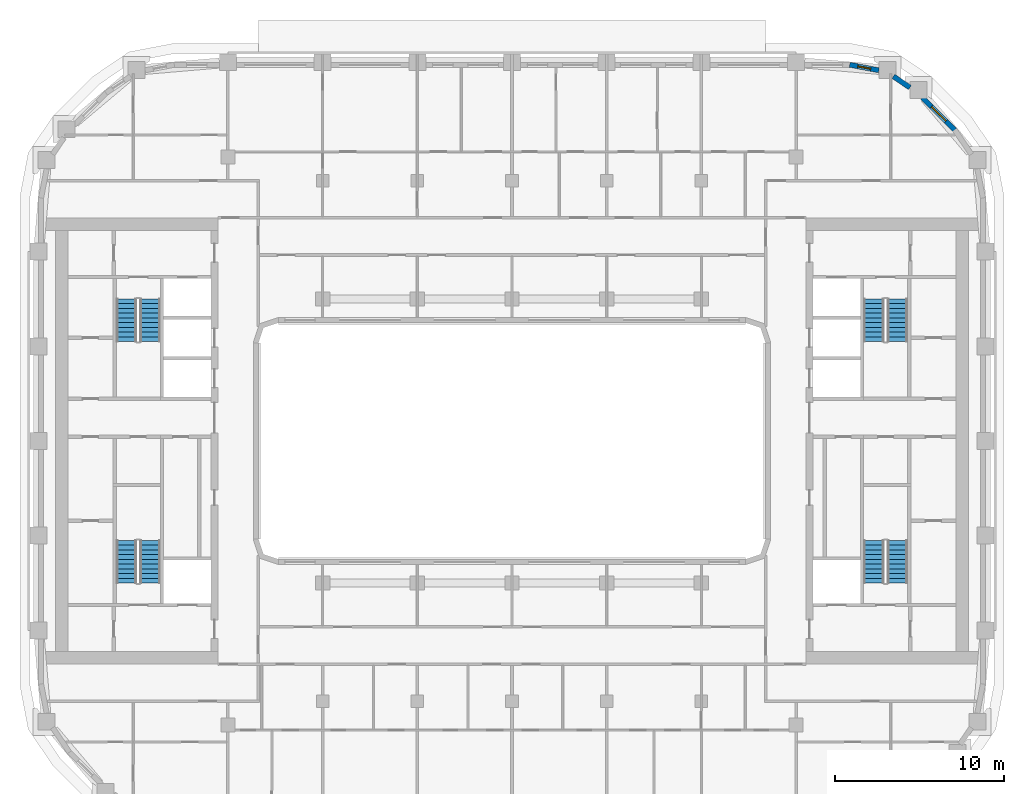
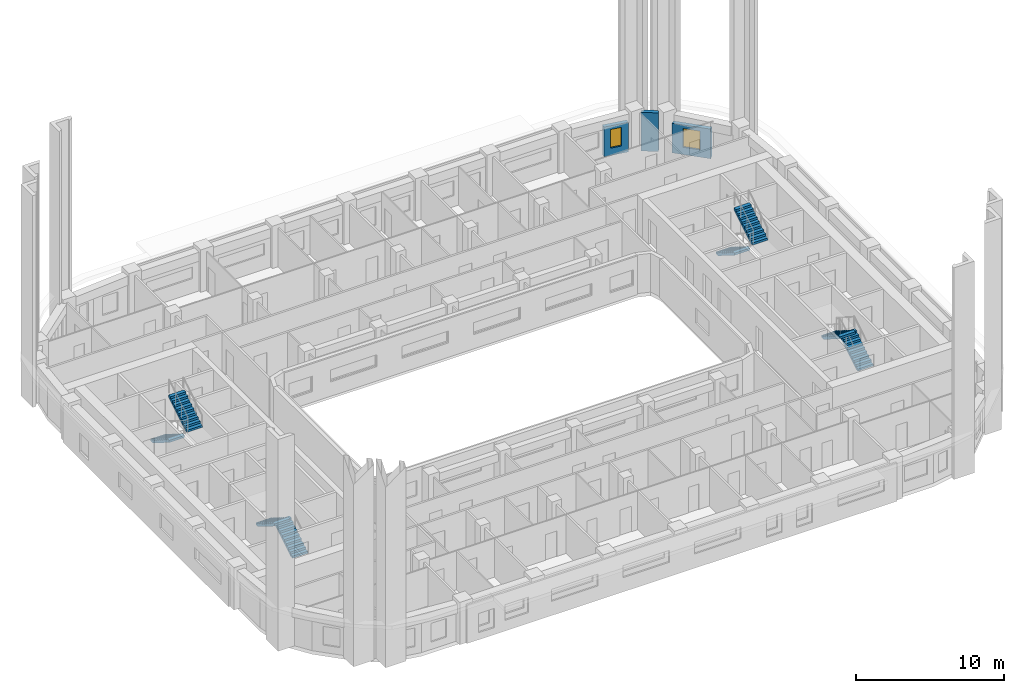
# One storey, part 10 of 22: 8 stair flights, 3 walls, 2 windows, 2 openings, 4 elements without a shape of their own.
"""IFC4 building model written with IfcOpenShell, lengths in metres."""

from ifc_helpers import new_model, si_unit, direction, frame, frame_2d, origin, place, context, subcontext, project, spatial, polyline, rectangle, outline, extrude, material, layer, layer_set, type_object, element, fill, aggregate, save


model = new_model("IFC4")

# Units and contexts
model_context = context("Model", 3, precision=1e-05, world=origin(), true_north=direction((0.0, 1.0)))
body_context = subcontext(model_context, "Body", "Model", "MODEL_VIEW")
ifc_project = project(units=[si_unit("LENGTHUNIT", "METRE"), si_unit("AREAUNIT", "SQUARE_METRE"), si_unit("VOLUMEUNIT", "CUBIC_METRE"), si_unit("PLANEANGLEUNIT", "RADIAN"), si_unit("MASSUNIT", "GRAM", prefix="KILO")], contexts=[model_context])

# Site, building, storey
site_placement = place(None, origin())
site = spatial("IfcSite", under=ifc_project, at=site_placement, CompositionType="ELEMENT")
building_placement = place(site_placement, origin())
building = spatial("IfcBuilding", under=site, at=building_placement, Name="Kiln Ring Residences", CompositionType="ELEMENT")
storey_placement = place(building_placement, frame((0.0, 0.0, 160.60009765625)))
storey = spatial("IfcBuildingStorey", under=building, at=storey_placement, Name="L41", CompositionType="ELEMENT", Elevation=160.60009765625)

# Wall, opening, window
ifc_material_1 = material(Name="Brick masonry, dark clay brick", Category="masonry")
ifc_layer = layer(ifc_material_1, 0.300048828125)
ifc_layer_set = layer_set([ifc_layer], Name="EW-300 BRICK WALL")
wall_type = type_object("IfcWallType", Name="EW-300 BRICK WALL", PredefinedType="SOLIDWALL", material=ifc_layer_set)
wall_1_placement = place(storey_placement, frame((26.19677734375, 18.390869140625, 0.0), z_axis=(0.0, 0.0, 1.0), x_axis=(-0.707061571201, 0.707151988282, 0.0)))
wall_1 = element("IfcWall", 1, at=wall_1_placement, inside=storey, type_object=wall_type, Name="Facade wall L41 25", PredefinedType="SOLIDWALL", context=body_context, shape_type="SweptSolid", body=[
    extrude(rectangle(XDim=2.7001953125, YDim=0.300048828125, at=frame_2d((1.35009765625, 0.0))), origin(), (0.0, 0.0, 1.0), 2.449951171875),
])
opening_1_placement = place(wall_1_placement, frame((0.75, 0.0, 0.60009765625)))
opening_1 = element("IfcOpeningElement", 2, at=opening_1_placement, cuts=wall_1, Name="Opening W1", PredefinedType="OPENING", context=body_context, shape_type="SweptSolid", body=[
    extrude(rectangle(XDim=1.199951171875, YDim=1.550048828125, at=frame_2d((0.60009765625, 0.77490234375))), frame((0.0, 0.159912109375, 0.0), z_axis=(0.0, -1.0, 0.0), x_axis=(1.0, 0.0, 0.0)), (0.0, 0.0, 1.0), 0.320068359375),
])
ifc_material_2 = material(Name="Aluminium frame with double glazing", Category="aluminium")
window_type_1 = type_object("IfcWindowType", Name="WINDOW 1200 x 1550", PartitioningType="SINGLE_PANEL", PredefinedType="WINDOW", material=ifc_material_2)
window_1_placement = place(opening_1_placement, origin())
window_1 = element("IfcWindow", 3, at=window_1_placement, inside=storey, type_object=window_type_1, Name="Window L41 16", OverallHeight=1.550048828125, OverallWidth=1.199951171875, PartitioningType="SINGLE_PANEL", PredefinedType="WINDOW", context=body_context, shape_type="SweptSolid", body=[
    extrude(rectangle(XDim=1.199951171875, YDim=1.550048828125, at=frame_2d((0.60009765625, 0.77490234375))), frame((0.0, 0.030029296875, 0.0), z_axis=(0.0, -1.0, 0.0), x_axis=(1.0, 0.0, 0.0)), (0.0, 0.0, 1.0), 0.06005859375),
])
fill(opening_1, window_1)

# Wall
wall_2_placement = place(storey_placement, frame((23.533935546875, 20.904296875, 0.0), z_axis=(0.0, 0.0, 1.0), x_axis=(-0.827103906596, 0.56204904385, 0.0)))
element("IfcWall", 4, at=wall_2_placement, inside=storey, type_object=wall_type, Name="Facade wall L41 26", PredefinedType="SOLIDWALL", context=body_context, shape_type="SweptSolid", body=[
    extrude(rectangle(XDim=1.17724609375, YDim=0.300048828125, at=frame_2d((0.588623046875, 0.0))), origin(), (0.0, 0.0, 1.0), 3.199951171875),
])

# Wall, opening, window
wall_3_placement = place(storey_placement, frame((21.697021484375, 21.923583984375, 0.0), z_axis=(0.0, 0.0, 1.0), x_axis=(-0.982284988433, 0.187393173565, 0.0)))
wall_3 = element("IfcWall", 5, at=wall_3_placement, inside=storey, type_object=wall_type, Name="Facade wall L41 27", PredefinedType="SOLIDWALL", context=body_context, shape_type="SweptSolid", body=[
    extrude(rectangle(XDim=1.756103515625, YDim=0.300048828125, at=frame_2d((0.8779296875, 0.0))), origin(), (0.0, 0.0, 1.0), 2.449951171875),
])
opening_2_placement = place(wall_3_placement, frame((0.47802734375, 0.0, 0.60009765625)))
opening_2 = element("IfcOpeningElement", 6, at=opening_2_placement, cuts=wall_3, Name="Opening W5", PredefinedType="OPENING", context=body_context, shape_type="SweptSolid", body=[
    extrude(rectangle(XDim=0.800048828125, YDim=1.550048828125, at=frame_2d((0.39990234375, 0.77490234375))), frame((0.0, 0.159912109375, 0.0), z_axis=(0.0, -1.0, 0.0), x_axis=(1.0, 0.0, 0.0)), (0.0, 0.0, 1.0), 0.320068359375),
])
ifc_material_3 = material(Name="Aluminium frame with double glazing", Category="aluminium")
window_type_2 = type_object("IfcWindowType", Name="WINDOW 800 x 1550", PartitioningType="SINGLE_PANEL", PredefinedType="WINDOW", material=ifc_material_3)
window_2_placement = place(opening_2_placement, origin())
window_2 = element("IfcWindow", 7, at=window_2_placement, inside=storey, type_object=window_type_2, Name="Window L41 17", OverallHeight=1.550048828125, OverallWidth=0.800048828125, PartitioningType="SINGLE_PANEL", PredefinedType="WINDOW", context=body_context, shape_type="SweptSolid", body=[
    extrude(rectangle(XDim=0.800048828125, YDim=1.550048828125, at=frame_2d((0.39990234375, 0.77490234375))), frame((0.0, 0.030029296875, 0.0), z_axis=(0.0, -1.0, 0.0), x_axis=(1.0, 0.0, 0.0)), (0.0, 0.0, 1.0), 0.06005859375),
])
fill(opening_2, window_2)

# Stair, stair flights
ifc_material_4 = material(Name="Concrete C40/50", Category="concrete")
stair_type = type_object("IfcStairType", Name="CORE-STAIR", PredefinedType="HALF_TURN_STAIR", material=ifc_material_4)
placement = place(storey_placement, origin())
stair_1 = element("IfcStair", 8, at=placement, inside=storey, type_object=stair_type, Name="L41 stair W-STN", PredefinedType="HALF_TURN_STAIR")
ifc_material_5 = material(Name="Concrete C40/50", Category="concrete")
stair_flight_type = type_object("IfcStairFlightType", Name="CORE-STAIR-FLIGHT", PredefinedType="STRAIGHT", material=ifc_material_5)
stair_flight_1_placement = place(storey_placement, frame((-22.800048828125, 8.39990234375, 0.0), z_axis=(0.0, 0.0, 1.0), x_axis=(0.0, -1.0, 0.0)))
stair_flight_1 = element("IfcStairFlight", 9, at=stair_flight_1_placement, type_object=stair_flight_type, Name="W-STN flight 1", NumberOfRisers=10, NumberOfTreads=9, PredefinedType="STRAIGHT", RiserHeight=0.175, TreadLength=0.28, context=body_context, shape_type="SweptSolid", body=[
    extrude(outline(polyline([(0.0, 0.0), (0.0, 0.175048828125), (0.280029296875, 0.175048828125), (0.280029296875, 0.35009765625), (0.56005859375, 0.35009765625), (0.56005859375, 0.52490234375), (0.840087890625, 0.52490234375), (0.840087890625, 0.699951171875), (1.1201171875, 0.699951171875), (1.1201171875, 0.875), (1.39990234375, 0.875), (1.39990234375, 1.050048828125), (1.679931640625, 1.050048828125), (1.679931640625, 1.22509765625), (1.9599609375, 1.22509765625), (1.9599609375, 1.39990234375), (2.239990234375, 1.39990234375), (2.239990234375, 1.574951171875), (2.52001953125, 1.574951171875), (2.52001953125, 1.75), (2.52001953125, 1.398193359375), (0.28271484375, 0.0), (0.0, 0.0)])), frame((0.0, 0.60009765625, 0.0), z_axis=(0.0, -1.0, 0.0), x_axis=(1.0, 0.0, 0.0)), (0.0, 0.0, 1.0), 1.199951171875),
])
stair_flight_2_placement = place(storey_placement, frame((-21.39990234375, 5.8798828125, 1.75), z_axis=(0.0, 0.0, 1.0), x_axis=(0.0, 1.0, 0.0)))
stair_flight_2 = element("IfcStairFlight", 10, at=stair_flight_2_placement, type_object=stair_flight_type, Name="W-STN flight 2", NumberOfRisers=10, NumberOfTreads=9, PredefinedType="STRAIGHT", RiserHeight=0.175, TreadLength=0.28, context=body_context, shape_type="SweptSolid", body=[
    extrude(outline(polyline([(0.0, 0.0), (0.0, 0.175048828125), (0.280029296875, 0.175048828125), (0.280029296875, 0.35009765625), (0.56005859375, 0.35009765625), (0.56005859375, 0.52490234375), (0.840087890625, 0.52490234375), (0.840087890625, 0.699951171875), (1.1201171875, 0.699951171875), (1.1201171875, 0.875), (1.39990234375, 0.875), (1.39990234375, 1.050048828125), (1.679931640625, 1.050048828125), (1.679931640625, 1.22509765625), (1.9599609375, 1.22509765625), (1.9599609375, 1.39990234375), (2.239990234375, 1.39990234375), (2.239990234375, 1.574951171875), (2.52001953125, 1.574951171875), (2.52001953125, 1.75), (2.52001953125, 1.398193359375), (0.28271484375, 0.0), (0.0, 0.0)])), frame((0.0, 0.60009765625, 0.0), z_axis=(0.0, -1.0, 0.0), x_axis=(1.0, 0.0, 0.0)), (0.0, 0.0, 1.0), 1.199951171875),
])
aggregate(stair_1, [stair_flight_1, stair_flight_2])

stair_2 = element("IfcStair", 11, at=placement, inside=storey, type_object=stair_type, Name="L41 stair W-STS", PredefinedType="HALF_TURN_STAIR")
stair_flight_3_placement = place(storey_placement, frame((-21.39990234375, -8.39990234375, 0.0), z_axis=(0.0, 0.0, 1.0), x_axis=(0.0, 1.0, 0.0)))
stair_flight_3 = element("IfcStairFlight", 12, at=stair_flight_3_placement, type_object=stair_flight_type, Name="W-STS flight 1", NumberOfRisers=10, NumberOfTreads=9, PredefinedType="STRAIGHT", RiserHeight=0.175, TreadLength=0.28, context=body_context, shape_type="SweptSolid", body=[
    extrude(outline(polyline([(0.0, 0.0), (0.0, 0.175048828125), (0.280029296875, 0.175048828125), (0.280029296875, 0.35009765625), (0.56005859375, 0.35009765625), (0.56005859375, 0.52490234375), (0.840087890625, 0.52490234375), (0.840087890625, 0.699951171875), (1.1201171875, 0.699951171875), (1.1201171875, 0.875), (1.39990234375, 0.875), (1.39990234375, 1.050048828125), (1.679931640625, 1.050048828125), (1.679931640625, 1.22509765625), (1.9599609375, 1.22509765625), (1.9599609375, 1.39990234375), (2.239990234375, 1.39990234375), (2.239990234375, 1.574951171875), (2.52001953125, 1.574951171875), (2.52001953125, 1.75), (2.52001953125, 1.398193359375), (0.28271484375, 0.0), (0.0, 0.0)])), frame((0.0, 0.60009765625, 0.0), z_axis=(0.0, -1.0, 0.0), x_axis=(1.0, 0.0, 0.0)), (0.0, 0.0, 1.0), 1.199951171875),
])
stair_flight_4_placement = place(storey_placement, frame((-22.800048828125, -5.8798828125, 1.75), z_axis=(0.0, 0.0, 1.0), x_axis=(0.0, -1.0, 0.0)))
stair_flight_4 = element("IfcStairFlight", 13, at=stair_flight_4_placement, type_object=stair_flight_type, Name="W-STS flight 2", NumberOfRisers=10, NumberOfTreads=9, PredefinedType="STRAIGHT", RiserHeight=0.175, TreadLength=0.28, context=body_context, shape_type="SweptSolid", body=[
    extrude(outline(polyline([(0.0, 0.0), (0.0, 0.175048828125), (0.280029296875, 0.175048828125), (0.280029296875, 0.35009765625), (0.56005859375, 0.35009765625), (0.56005859375, 0.52490234375), (0.840087890625, 0.52490234375), (0.840087890625, 0.699951171875), (1.1201171875, 0.699951171875), (1.1201171875, 0.875), (1.39990234375, 0.875), (1.39990234375, 1.050048828125), (1.679931640625, 1.050048828125), (1.679931640625, 1.22509765625), (1.9599609375, 1.22509765625), (1.9599609375, 1.39990234375), (2.239990234375, 1.39990234375), (2.239990234375, 1.574951171875), (2.52001953125, 1.574951171875), (2.52001953125, 1.75), (2.52001953125, 1.398193359375), (0.28271484375, 0.0), (0.0, 0.0)])), frame((0.0, 0.60009765625, 0.0), z_axis=(0.0, -1.0, 0.0), x_axis=(1.0, 0.0, 0.0)), (0.0, 0.0, 1.0), 1.199951171875),
])
aggregate(stair_2, [stair_flight_3, stair_flight_4])

stair_3 = element("IfcStair", 14, at=placement, inside=storey, type_object=stair_type, Name="L41 stair E-STN", PredefinedType="HALF_TURN_STAIR")
stair_flight_5_placement = place(storey_placement, frame((21.39990234375, 8.39990234375, 0.0), z_axis=(0.0, 0.0, 1.0), x_axis=(0.0, -1.0, 0.0)))
stair_flight_5 = element("IfcStairFlight", 15, at=stair_flight_5_placement, type_object=stair_flight_type, Name="E-STN flight 1", NumberOfRisers=10, NumberOfTreads=9, PredefinedType="STRAIGHT", RiserHeight=0.175, TreadLength=0.28, context=body_context, shape_type="SweptSolid", body=[
    extrude(outline(polyline([(0.0, 0.0), (0.0, 0.175048828125), (0.280029296875, 0.175048828125), (0.280029296875, 0.35009765625), (0.56005859375, 0.35009765625), (0.56005859375, 0.52490234375), (0.840087890625, 0.52490234375), (0.840087890625, 0.699951171875), (1.1201171875, 0.699951171875), (1.1201171875, 0.875), (1.39990234375, 0.875), (1.39990234375, 1.050048828125), (1.679931640625, 1.050048828125), (1.679931640625, 1.22509765625), (1.9599609375, 1.22509765625), (1.9599609375, 1.39990234375), (2.239990234375, 1.39990234375), (2.239990234375, 1.574951171875), (2.52001953125, 1.574951171875), (2.52001953125, 1.75), (2.52001953125, 1.398193359375), (0.28271484375, 0.0), (0.0, 0.0)])), frame((0.0, 0.60009765625, 0.0), z_axis=(0.0, -1.0, 0.0), x_axis=(1.0, 0.0, 0.0)), (0.0, 0.0, 1.0), 1.199951171875),
])
stair_flight_6_placement = place(storey_placement, frame((22.800048828125, 5.8798828125, 1.75), z_axis=(0.0, 0.0, 1.0), x_axis=(0.0, 1.0, 0.0)))
stair_flight_6 = element("IfcStairFlight", 16, at=stair_flight_6_placement, type_object=stair_flight_type, Name="E-STN flight 2", NumberOfRisers=10, NumberOfTreads=9, PredefinedType="STRAIGHT", RiserHeight=0.175, TreadLength=0.28, context=body_context, shape_type="SweptSolid", body=[
    extrude(outline(polyline([(0.0, 0.0), (0.0, 0.175048828125), (0.280029296875, 0.175048828125), (0.280029296875, 0.35009765625), (0.56005859375, 0.35009765625), (0.56005859375, 0.52490234375), (0.840087890625, 0.52490234375), (0.840087890625, 0.699951171875), (1.1201171875, 0.699951171875), (1.1201171875, 0.875), (1.39990234375, 0.875), (1.39990234375, 1.050048828125), (1.679931640625, 1.050048828125), (1.679931640625, 1.22509765625), (1.9599609375, 1.22509765625), (1.9599609375, 1.39990234375), (2.239990234375, 1.39990234375), (2.239990234375, 1.574951171875), (2.52001953125, 1.574951171875), (2.52001953125, 1.75), (2.52001953125, 1.398193359375), (0.28271484375, 0.0), (0.0, 0.0)])), frame((0.0, 0.60009765625, 0.0), z_axis=(0.0, -1.0, 0.0), x_axis=(1.0, 0.0, 0.0)), (0.0, 0.0, 1.0), 1.199951171875),
])
aggregate(stair_3, [stair_flight_5, stair_flight_6])

stair_4 = element("IfcStair", 17, at=placement, inside=storey, type_object=stair_type, Name="L41 stair E-STS", PredefinedType="HALF_TURN_STAIR")
stair_flight_7_placement = place(storey_placement, frame((22.800048828125, -8.39990234375, 0.0), z_axis=(0.0, 0.0, 1.0), x_axis=(0.0, 1.0, 0.0)))
stair_flight_7 = element("IfcStairFlight", 18, at=stair_flight_7_placement, type_object=stair_flight_type, Name="E-STS flight 1", NumberOfRisers=10, NumberOfTreads=9, PredefinedType="STRAIGHT", RiserHeight=0.175, TreadLength=0.28, context=body_context, shape_type="SweptSolid", body=[
    extrude(outline(polyline([(0.0, 0.0), (0.0, 0.175048828125), (0.280029296875, 0.175048828125), (0.280029296875, 0.35009765625), (0.56005859375, 0.35009765625), (0.56005859375, 0.52490234375), (0.840087890625, 0.52490234375), (0.840087890625, 0.699951171875), (1.1201171875, 0.699951171875), (1.1201171875, 0.875), (1.39990234375, 0.875), (1.39990234375, 1.050048828125), (1.679931640625, 1.050048828125), (1.679931640625, 1.22509765625), (1.9599609375, 1.22509765625), (1.9599609375, 1.39990234375), (2.239990234375, 1.39990234375), (2.239990234375, 1.574951171875), (2.52001953125, 1.574951171875), (2.52001953125, 1.75), (2.52001953125, 1.398193359375), (0.28271484375, 0.0), (0.0, 0.0)])), frame((0.0, 0.60009765625, 0.0), z_axis=(0.0, -1.0, 0.0), x_axis=(1.0, 0.0, 0.0)), (0.0, 0.0, 1.0), 1.199951171875),
])
stair_flight_8_placement = place(storey_placement, frame((21.39990234375, -5.8798828125, 1.75), z_axis=(0.0, 0.0, 1.0), x_axis=(0.0, -1.0, 0.0)))
stair_flight_8 = element("IfcStairFlight", 19, at=stair_flight_8_placement, type_object=stair_flight_type, Name="E-STS flight 2", NumberOfRisers=10, NumberOfTreads=9, PredefinedType="STRAIGHT", RiserHeight=0.175, TreadLength=0.28, context=body_context, shape_type="SweptSolid", body=[
    extrude(outline(polyline([(0.0, 0.0), (0.0, 0.175048828125), (0.280029296875, 0.175048828125), (0.280029296875, 0.35009765625), (0.56005859375, 0.35009765625), (0.56005859375, 0.52490234375), (0.840087890625, 0.52490234375), (0.840087890625, 0.699951171875), (1.1201171875, 0.699951171875), (1.1201171875, 0.875), (1.39990234375, 0.875), (1.39990234375, 1.050048828125), (1.679931640625, 1.050048828125), (1.679931640625, 1.22509765625), (1.9599609375, 1.22509765625), (1.9599609375, 1.39990234375), (2.239990234375, 1.39990234375), (2.239990234375, 1.574951171875), (2.52001953125, 1.574951171875), (2.52001953125, 1.75), (2.52001953125, 1.398193359375), (0.28271484375, 0.0), (0.0, 0.0)])), frame((0.0, 0.60009765625, 0.0), z_axis=(0.0, -1.0, 0.0), x_axis=(1.0, 0.0, 0.0)), (0.0, 0.0, 1.0), 1.199951171875),
])
aggregate(stair_4, [stair_flight_7, stair_flight_8])

save(model, "model.ifc")
